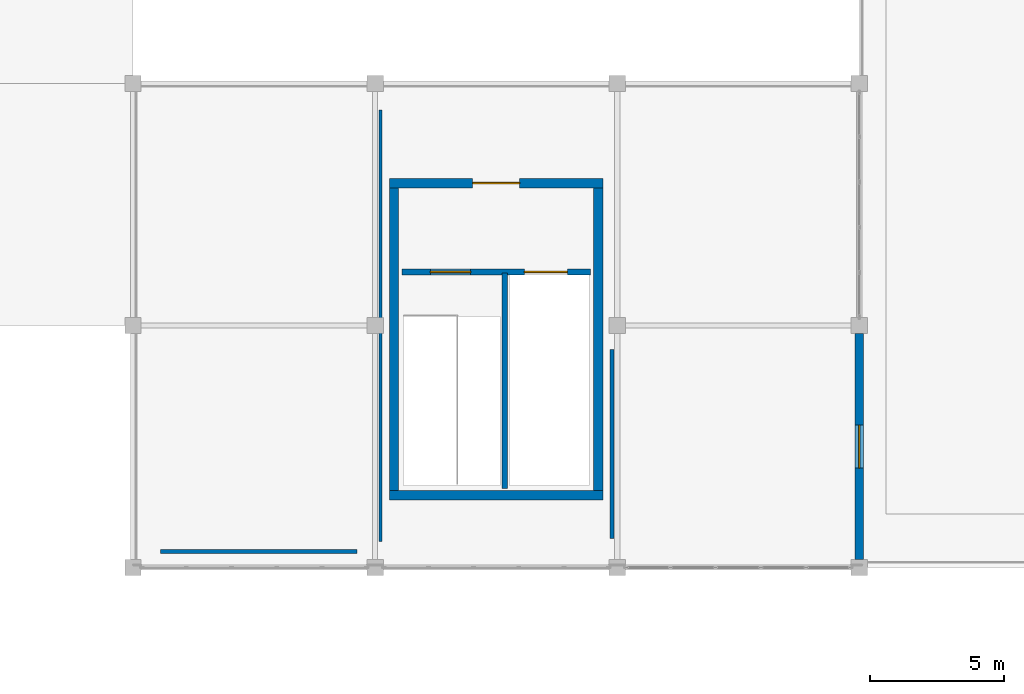
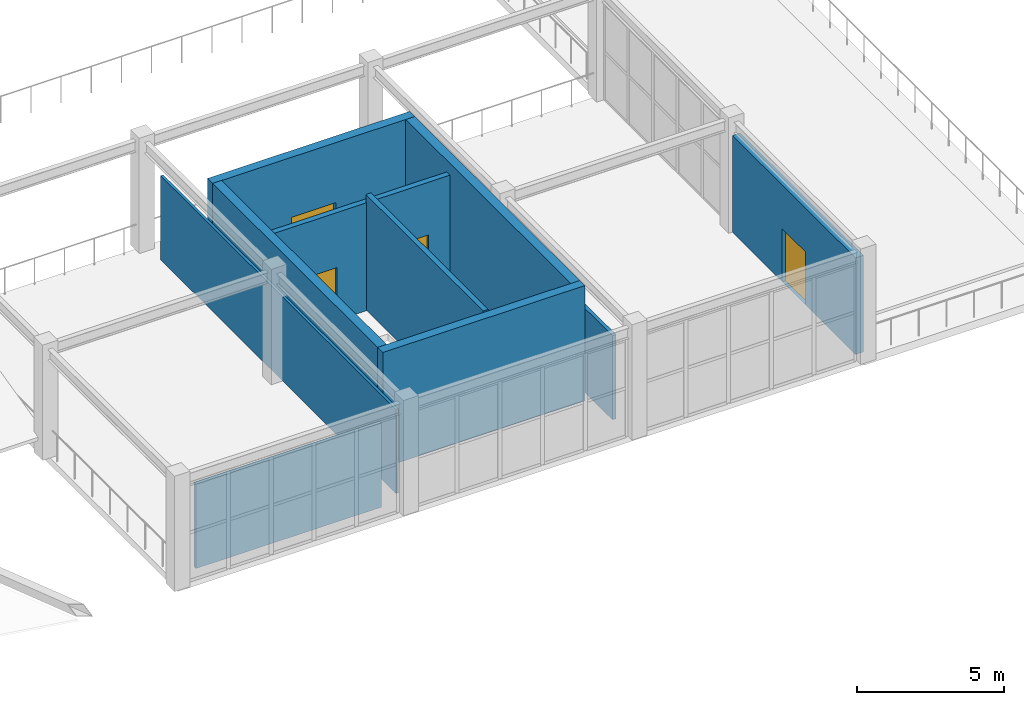
# One storey, part 143 of 167: 10 walls, 4 doors, 4 openings.
"""IFC4 building model written with IfcOpenShell, lengths in metres."""

from ifc_helpers import new_model, si_unit, direction, frame, frame_2d, origin, place, context, subcontext, project, spatial, rectangle, extrude, material, layer, layer_set, type_object, element, fill, save


model = new_model("IFC4")

# Units and contexts
model_context = context("Model", 3, precision=1e-05, world=origin(), true_north=direction((0.0, 1.0)))
body_context = subcontext(model_context, "Body", "Model", "MODEL_VIEW")
ifc_project = project(units=[si_unit("LENGTHUNIT", "METRE"), si_unit("AREAUNIT", "SQUARE_METRE"), si_unit("VOLUMEUNIT", "CUBIC_METRE"), si_unit("PLANEANGLEUNIT", "RADIAN"), si_unit("MASSUNIT", "GRAM", prefix="KILO")], contexts=[model_context])

# Site, building, storey
site_placement = place(None, origin())
site = spatial("IfcSite", under=ifc_project, at=site_placement, CompositionType="ELEMENT")
building_placement = place(site_placement, origin())
building = spatial("IfcBuilding", under=site, at=building_placement, Name="Dornveld Trade and Exhibition Forum", CompositionType="ELEMENT")
storey_placement = place(building_placement, frame((0.0, 0.0, 16.800048828125)))
storey = spatial("IfcBuildingStorey", under=building, at=storey_placement, Name="L03", CompositionType="ELEMENT", Elevation=16.800048828125)

# Wall
ifc_material_1 = material(Name="Concrete C40/50", Category="concrete")
ifc_layer_1 = layer(ifc_material_1, 0.35009765625)
ifc_layer_set_1 = layer_set([ifc_layer_1], Name="Concrete C40/50")
wall_type_1 = type_object("IfcWallType", Name="WL-CORE-350", PredefinedType="SHEAR", material=ifc_layer_set_1)
wall_1_placement = place(storey_placement, frame((180.52490234375, 110.699951171875, 0.0), z_axis=(0.0, 0.0, 1.0), x_axis=(1.0, 0.0, 0.0)))
element("IfcWall", 1, at=wall_1_placement, inside=storey, type_object=wall_type_1, Name="CORE-12 L03 shear wall S", PredefinedType="SHEAR", context=body_context, shape_type="SweptSolid", body=[
    extrude(rectangle(XDim=7.9501953125, YDim=0.35009765625, at=frame_2d((3.97509765625, 0.0))), origin(), (0.0, 0.0, 1.0), 4.800048828125),
])

# Wall, opening, door
wall_2_placement = place(storey_placement, frame((180.52490234375, 122.300048828125, 0.0), z_axis=(0.0, 0.0, 1.0), x_axis=(1.0, 0.0, 0.0)))
wall_2 = element("IfcWall", 2, at=wall_2_placement, inside=storey, type_object=wall_type_1, Name="CORE-12 L03 shear wall N", PredefinedType="SHEAR", context=body_context, shape_type="SweptSolid", body=[
    extrude(rectangle(XDim=7.9501953125, YDim=0.35009765625, at=frame_2d((3.97509765625, 0.0))), origin(), (0.0, 0.0, 1.0), 4.800048828125),
])
opening_1_placement = place(wall_2_placement, frame((3.10009765625, 0.0, 0.0)))
opening_1 = element("IfcOpeningElement", 3, at=opening_1_placement, cuts=wall_2, Name="Opening CD-12-L03", PredefinedType="OPENING", context=body_context, shape_type="SweptSolid", body=[
    extrude(rectangle(XDim=1.75, YDim=2.300048828125, at=frame_2d((0.875, 1.14990234375))), frame((0.0, 0.18505859375, 0.0), z_axis=(0.0, -1.0, 0.0), x_axis=(1.0, 0.0, 0.0)), (0.0, 0.0, 1.0), 0.3701171875),
])
ifc_material_2 = material(Name="Steel fire-rated double door assembly", Category="steel")
door_type_1 = type_object("IfcDoorType", Name="DR-CORE-175x230", OperationType="NOTDEFINED", PredefinedType="DOOR", material=ifc_material_2)
door_1_placement = place(opening_1_placement, origin())
door_1 = element("IfcDoor", 4, at=door_1_placement, inside=storey, type_object=door_type_1, Name="CORE-12 L03 core lobby double fire door", OperationType="DOUBLE_DOOR_SINGLE_SWING", OverallHeight=2.300048828125, OverallWidth=1.75, PredefinedType="DOOR", context=body_context, shape_type="SweptSolid", body=[
    extrude(rectangle(XDim=1.75, YDim=2.300048828125, at=frame_2d((0.875, 1.14990234375))), frame((0.0, 0.02490234375, 0.0), z_axis=(0.0, -1.0, 0.0), x_axis=(1.0, 0.0, 0.0)), (0.0, 0.0, 1.0), 0.050048828125),
])
fill(opening_1, door_1)

# Walls
for number, where, z_axis, x_axis, name in (
    (5, (180.699951171875, 110.875, 0.0), (0.0, 0.0, 1.0), (0.0, 1.0, 0.0), "CORE-12 L03 shear wall W"),
    (6, (188.300048828125, 110.875, 0.0), (0.0, 0.0, 1.0), (0.0, 1.0, 0.0), "CORE-12 L03 shear wall E"),
):
    element("IfcWall", number, at=place(storey_placement, frame(where, z_axis=z_axis, x_axis=x_axis)), inside=storey, type_object=wall_type_1, Name=name, PredefinedType="SHEAR", context=body_context, shape_type="SweptSolid", body=[
        extrude(rectangle(XDim=11.25, YDim=0.35009765625, at=frame_2d((5.625, 0.0))), origin(), (0.0, 0.0, 1.0), 4.800048828125),
    ])

# Wall, opening, door
ifc_material_3 = material(Name="Precast concrete C50/60", Category="concrete")
ifc_layer_2 = layer(ifc_material_3, 0.31005859375)
ifc_layer_set_2 = layer_set([ifc_layer_2], Name="Precast concrete C50/60")
wall_type_2 = type_object("IfcWallType", Name="WL-EXT-PC310", PredefinedType="SOLIDWALL", material=ifc_layer_set_2)
wall_3_placement = place(storey_placement, frame((198.0, 108.299560546875, 0.0), z_axis=(0.0, 0.0, 1.0), x_axis=(0.0, 1.0, 0.0)))
wall_3 = element("IfcWall", 7, at=wall_3_placement, inside=storey, type_object=wall_type_2, Name="L03 precast facade wall 10", PredefinedType="SOLIDWALL", context=body_context, shape_type="SweptSolid", body=[
    extrude(rectangle(XDim=8.40087890625, YDim=0.31005859375, at=frame_2d((4.200439453125, 0.0))), origin(), (0.0, 0.0, 1.0), 4.02001953125),
])
opening_2_placement = place(wall_3_placement, frame((3.400390625, 0.0, 0.0)))
opening_2 = element("IfcOpeningElement", 8, at=opening_2_placement, cuts=wall_3, Name="Opening TD-06", PredefinedType="OPENING", context=body_context, shape_type="SweptSolid", body=[
    extrude(rectangle(XDim=1.60009765625, YDim=2.199951171875, at=frame_2d((0.800048828125, 1.10009765625))), frame((0.0, 0.1650390625, 0.0), z_axis=(0.0, -1.0, 0.0), x_axis=(1.0, 0.0, 0.0)), (0.0, 0.0, 1.0), 0.330078125),
])
ifc_material_4 = material(Name="Dark-bronze anodised aluminium and laminated safety glass", Category="aluminium")
door_type_2 = type_object("IfcDoorType", Name="DR-TER-160x220", OperationType="NOTDEFINED", PredefinedType="DOOR", material=ifc_material_4)
door_2_placement = place(opening_2_placement, frame((1.60009765625, 0.0, 0.0), z_axis=(0.0, 0.0, 1.0), x_axis=(-1.0, 0.0, 0.0)))
door_2 = element("IfcDoor", 9, at=door_2_placement, inside=storey, type_object=door_type_2, Name="L03 terrace access door 6", OperationType="SINGLE_SWING_RIGHT", OverallHeight=2.199951171875, OverallWidth=1.60009765625, PredefinedType="DOOR", context=body_context, shape_type="SweptSolid", body=[
    extrude(rectangle(XDim=1.60009765625, YDim=2.199951171875, at=frame_2d((0.800048828125, 1.10009765625))), frame((0.0, 0.02490234375, 0.0), z_axis=(0.0, -1.0, 0.0), x_axis=(1.0, 0.0, 0.0)), (0.0, 0.0, 1.0), 0.050048828125),
])
fill(opening_2, door_2)

# Wall
ifc_material_5 = material(Name="Framed acoustic glass office partition", Category="glass")
ifc_layer_3 = layer(ifc_material_5, 0.10498046875)
ifc_layer_set_3 = layer_set([ifc_layer_3], Name="Framed acoustic glass office partition")
wall_type_3 = type_object("IfcWallType", Name="WL-INT-GL105", PredefinedType="PARTITIONING", material=ifc_layer_set_3)
wall_4_placement = place(storey_placement, frame((180.199951171875, 108.97998046875, 0.0), z_axis=(0.0, 0.0, 1.0), x_axis=(0.0, 1.0, 0.0)))
element("IfcWall", 10, at=wall_4_placement, inside=storey, type_object=wall_type_3, Name="L03 interior partition 72", PredefinedType="PARTITIONING", context=body_context, shape_type="SweptSolid", body=[
    extrude(rectangle(XDim=16.0400390625, YDim=0.10498046875, at=frame_2d((8.02001953125, 0.0))), origin(), (0.0, 0.0, 1.0), 3.5),
])

# Wall, openings, doors
ifc_material_6 = material(Name="Concrete C40/50", Category="concrete")
ifc_layer_4 = layer(ifc_material_6, 0.219970703125)
ifc_layer_set_4 = layer_set([ifc_layer_4], Name="Concrete C40/50")
wall_type_4 = type_object("IfcWallType", Name="WL-INT-LOB220", PredefinedType="SOLIDWALL", material=ifc_layer_set_4)
wall_5_placement = place(storey_placement, frame((181.0, 119.0, 0.0), z_axis=(0.0, 0.0, 1.0), x_axis=(1.0, 0.0, 0.0)))
wall_5 = element("IfcWall", 11, at=wall_5_placement, inside=storey, type_object=wall_type_4, Name="CORE-12 L03 protected lobby bulkhead wall", PredefinedType="SOLIDWALL", context=body_context, shape_type="SweptSolid", body=[
    extrude(rectangle(XDim=7.0, YDim=0.219970703125, at=frame_2d((3.5, 0.0))), origin(), (0.0, 0.0, 1.0), 4.489990234375),
])
opening_3_placement = place(wall_5_placement, frame((1.050048828125, 0.0, 0.0)))
opening_3 = element("IfcOpeningElement", 12, at=opening_3_placement, cuts=wall_5, Name="Opening SD-12-L03", PredefinedType="OPENING", context=body_context, shape_type="SweptSolid", body=[
    extrude(rectangle(XDim=1.5, YDim=2.199951171875, at=frame_2d((0.75, 1.10009765625))), frame((0.0, 0.119873046875, 0.0), z_axis=(0.0, -1.0, 0.0), x_axis=(1.0, 0.0, 0.0)), (0.0, 0.0, 1.0), 0.239990234375),
])
opening_4_placement = place(wall_5_placement, frame((4.550048828125, 0.0, 0.0)))
opening_4 = element("IfcOpeningElement", 13, at=opening_4_placement, cuts=wall_5, Name="Opening LD-12-L03", PredefinedType="OPENING", context=body_context, shape_type="SweptSolid", body=[
    extrude(rectangle(XDim=1.60009765625, YDim=2.300048828125, at=frame_2d((0.800048828125, 1.14990234375))), frame((0.0, 0.119873046875, 0.0), z_axis=(0.0, -1.0, 0.0), x_axis=(1.0, 0.0, 0.0)), (0.0, 0.0, 1.0), 0.239990234375),
])
ifc_material_7 = material(Name="Heavy-duty steel sliding freight lift landing door", Category="steel")
door_type_3 = type_object("IfcDoorType", Name="DR-LIFT-160x230", OperationType="NOTDEFINED", PredefinedType="DOOR", material=ifc_material_7)
door_3_placement = place(opening_4_placement, origin())
door_3 = element("IfcDoor", 14, at=door_3_placement, inside=storey, type_object=door_type_3, Name="CORE-12 L03 lift sliding landing door", OperationType="SLIDING_TO_RIGHT", OverallHeight=2.300048828125, OverallWidth=1.60009765625, PredefinedType="DOOR", context=body_context, shape_type="SweptSolid", body=[
    extrude(rectangle(XDim=1.60009765625, YDim=2.300048828125, at=frame_2d((0.800048828125, 1.14990234375))), frame((0.0, 0.02490234375, 0.0), z_axis=(0.0, -1.0, 0.0), x_axis=(1.0, 0.0, 0.0)), (0.0, 0.0, 1.0), 0.050048828125),
])
fill(opening_4, door_3)
ifc_material_8 = material(Name="Steel fire-rated stair door assembly", Category="steel")
door_type_4 = type_object("IfcDoorType", Name="DR-STAIR-150x220", OperationType="NOTDEFINED", PredefinedType="DOOR", material=ifc_material_8)
door_4_placement = place(opening_3_placement, origin())
door_4 = element("IfcDoor", 15, at=door_4_placement, inside=storey, type_object=door_type_4, Name="CORE-12 L03 protected stair door", OperationType="SINGLE_SWING_RIGHT", OverallHeight=2.199951171875, OverallWidth=1.5, PredefinedType="DOOR", context=body_context, shape_type="SweptSolid", body=[
    extrude(rectangle(XDim=1.5, YDim=2.199951171875, at=frame_2d((0.75, 1.10009765625))), frame((0.0, 0.02490234375, 0.0), z_axis=(0.0, -1.0, 0.0), x_axis=(1.0, 0.0, 0.0)), (0.0, 0.0, 1.0), 0.050048828125),
])
fill(opening_3, door_4)

# Walls
ifc_material_9 = material(Name="Concrete C40/50", Category="concrete")
ifc_layer_5 = layer(ifc_material_9, 0.199951171875)
ifc_layer_set_5 = layer_set([ifc_layer_5], Name="Concrete C40/50")
wall_type_5 = type_object("IfcWallType", Name="WL-INT-SHAFT200", PredefinedType="SOLIDWALL", material=ifc_layer_set_5)
wall_6_placement = place(storey_placement, frame((184.820068359375, 110.949951171875, 0.0), z_axis=(0.0, 0.0, 1.0), x_axis=(0.0, 1.0, 0.0)))
element("IfcWall", 16, at=wall_6_placement, inside=storey, type_object=wall_type_5, Name="CORE-12 L03 lift-stair structural shaft wall", PredefinedType="SOLIDWALL", context=body_context, shape_type="SweptSolid", body=[
    extrude(rectangle(XDim=8.0, YDim=0.199951171875, at=frame_2d((4.0, 0.0))), origin(), (0.0, 0.0, 1.0), 4.800048828125),
])
ifc_material_10 = material(Name="Steel-stud gypsum partition", Category="steel")
ifc_layer_6 = layer(ifc_material_10, 0.14501953125)
ifc_layer_set_6 = layer_set([ifc_layer_6], Name="Steel-stud gypsum partition")
wall_type_6 = type_object("IfcWallType", Name="WL-INT-ST145", PredefinedType="PARTITIONING", material=ifc_layer_set_6)
wall_7_placement = place(storey_placement, frame((188.800048828125, 109.080078125, 0.0), z_axis=(0.0, 0.0, 1.0), x_axis=(0.0, 1.0, 0.0)))
element("IfcWall", 17, at=wall_7_placement, inside=storey, type_object=wall_type_6, Name="L03 interior partition 92", PredefinedType="PARTITIONING", context=body_context, shape_type="SweptSolid", body=[
    extrude(rectangle(XDim=7.0400390625, YDim=0.14501953125, at=frame_2d((3.52001953125, 0.0))), origin(), (0.0, 0.0, 1.0), 3.5),
])
ifc_material_11 = material(Name="Steel-stud gypsum partition", Category="steel")
ifc_layer_7 = layer(ifc_material_11, 0.155029296875)
ifc_layer_set_7 = layer_set([ifc_layer_7], Name="Steel-stud gypsum partition")
wall_type_7 = type_object("IfcWallType", Name="WL-INT-ST155", PredefinedType="PARTITIONING", material=ifc_layer_set_7)
wall_8_placement = place(storey_placement, frame((172.02001953125, 108.60009765625, 0.0), z_axis=(0.0, 0.0, 1.0), x_axis=(1.0, 0.0, 0.0)))
element("IfcWall", 18, at=wall_8_placement, inside=storey, type_object=wall_type_7, Name="L03 interior partition 91", PredefinedType="PARTITIONING", context=body_context, shape_type="SweptSolid", body=[
    extrude(rectangle(XDim=7.300048828125, YDim=0.155029296875, at=frame_2d((3.64990234375, 0.0))), origin(), (0.0, 0.0, 1.0), 3.5),
])

save(model, "model.ifc")
